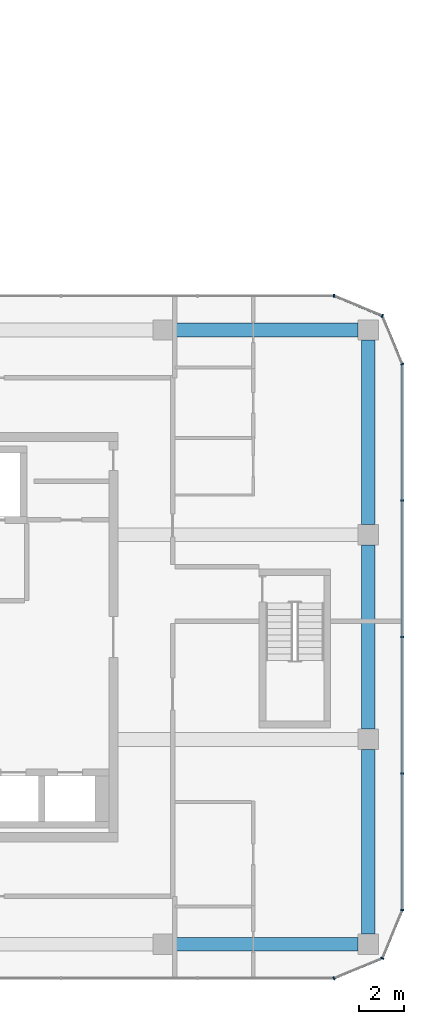
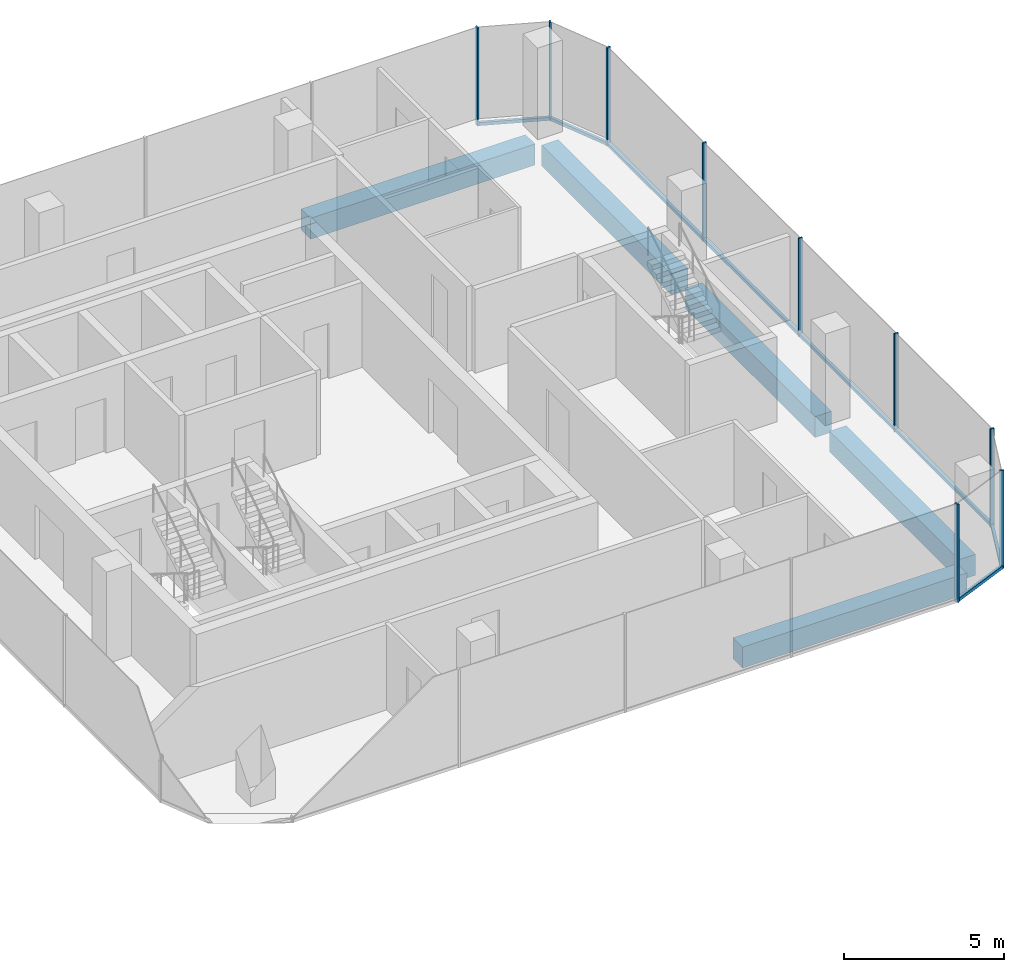
# One storey, part 10 of 22: 14 members, 5 beams, 6 elements without a shape of their own.
"""IFC4 building model written with IfcOpenShell, lengths in metres."""

from ifc_helpers import new_model, si_unit, direction, frame, origin, origin_2d, place, context, subcontext, project, spatial, rectangle, extrude, material, layer, layer_set, material_profile, profile_set, type_object, element, aggregate, save


model = new_model("IFC4")

# Units and contexts
model_context = context("Model", 3, precision=1e-05, world=origin(), true_north=direction((0.0, 1.0)))
body_context = subcontext(model_context, "Body", "Model", "MODEL_VIEW")
ifc_project = project(units=[si_unit("LENGTHUNIT", "METRE"), si_unit("AREAUNIT", "SQUARE_METRE"), si_unit("VOLUMEUNIT", "CUBIC_METRE"), si_unit("PLANEANGLEUNIT", "RADIAN"), si_unit("MASSUNIT", "GRAM", prefix="KILO")], contexts=[model_context])

# Site, building, storey
site_placement = place(None, origin())
site = spatial("IfcSite", under=ifc_project, at=site_placement, CompositionType="ELEMENT")
building_placement = place(site_placement, origin())
building = spatial("IfcBuilding", under=site, at=building_placement, Name="Plateau Cross Towers", CompositionType="ELEMENT")
storey_placement = place(building_placement, frame((0.0, 0.0, 113.300048828125)))
storey = spatial("IfcBuildingStorey", under=building, at=storey_placement, Name="L29", CompositionType="ELEMENT", Elevation=113.300048828125)

# Curtain wall, member
ifc_material_1 = material(Name="Dark low-iron glass", Category="glass")
ifc_layer = layer(ifc_material_1, 0.239990234375)
ifc_layer_set = layer_set([ifc_layer], Name="Dark low-iron glass")
curtain_wall_type = type_object("IfcCurtainWallType", Name="Curtain wall office unitised CW-F", PredefinedType="NOTDEFINED", material=ifc_layer_set)
curtain_wall_1_placement = place(storey_placement, origin())
curtain_wall_1 = element("IfcCurtainWall", 1, at=curtain_wall_1_placement, inside=storey, type_object=curtain_wall_type, Name="ENV/B/L29/B990_-60", PredefinedType="NOTDEFINED")
ifc_material_2 = material(Name="Black anodised aluminium", Category="aluminium")
ifc_material_profile_1 = material_profile(ifc_material_2, rectangle(XDim=0.06005859375, YDim=0.139892578125, at=origin_2d()), Name="MULLION 60x140")
ifc_profile_set_1 = profile_set([ifc_material_profile_1], Name="Black anodised aluminium")
member_type_1 = type_object("IfcMemberType", Name="Mullion 60x140 office unitised", PredefinedType="MULLION", material=ifc_profile_set_1)
member_1_placement = place(storey_placement, frame((99.0, -6.0, -0.25), z_axis=(0.0, 0.0, 1.0), x_axis=(0.923879457699, 0.382683612978, 0.0)))
member_1 = element("IfcMember", 2, at=member_1_placement, type_object=member_type_1, Name="CW-F mullion 1", PredefinedType="MULLION", context=body_context, shape_type="SweptSolid", body=[
    extrude(rectangle(XDim=0.06005859375, YDim=0.139892578125, at=origin_2d()), origin(), (0.0, 0.0, 1.0), 3.75),
])

curtain_wall_2_placement = place(storey_placement, origin())
curtain_wall_2 = element("IfcCurtainWall", 3, at=curtain_wall_2_placement, inside=storey, type_object=curtain_wall_type, Name="ENV/B/L29/B1011_-51", PredefinedType="NOTDEFINED")
member_2_placement = place(storey_placement, frame((101.121337890625, -5.121337890625, -0.25), z_axis=(0.0, 0.0, 1.0), x_axis=(0.382683612978, 0.923879457699, 0.0)))
member_2 = element("IfcMember", 4, at=member_2_placement, type_object=member_type_1, Name="CW-F mullion 1", PredefinedType="MULLION", context=body_context, shape_type="SweptSolid", body=[
    extrude(rectangle(XDim=0.06005859375, YDim=0.139892578125, at=origin_2d()), origin(), (0.0, 0.0, 1.0), 3.75),
])

# Curtain wall, members
curtain_wall_3_placement = place(storey_placement, origin())
curtain_wall_3 = element("IfcCurtainWall", 5, at=curtain_wall_3_placement, inside=storey, type_object=curtain_wall_type, Name="ENV/B/L29/B1020_-30", PredefinedType="NOTDEFINED")
member_3_placement = place(storey_placement, frame((102.0, -3.0, -0.25), z_axis=(0.0, 0.0, 1.0), x_axis=(0.0, 1.0, 0.0)))
member_3 = element("IfcMember", 6, at=member_3_placement, type_object=member_type_1, Name="CW-F mullion 1", PredefinedType="MULLION", context=body_context, shape_type="SweptSolid", body=[
    extrude(rectangle(XDim=0.06005859375, YDim=0.139892578125, at=origin_2d()), origin(), (0.0, 0.0, 1.0), 3.75),
])
member_4_placement = place(storey_placement, frame((102.0, 3.0, -0.25), z_axis=(0.0, 0.0, 1.0), x_axis=(0.0, 1.0, 0.0)))
member_4 = element("IfcMember", 7, at=member_4_placement, type_object=member_type_1, Name="CW-F mullion 2", PredefinedType="MULLION", context=body_context, shape_type="SweptSolid", body=[
    extrude(rectangle(XDim=0.06005859375, YDim=0.139892578125, at=origin_2d()), origin(), (0.0, 0.0, 1.0), 3.75),
])
member_5_placement = place(storey_placement, frame((102.0, 9.0, -0.25), z_axis=(0.0, 0.0, 1.0), x_axis=(0.0, 1.0, 0.0)))
member_5 = element("IfcMember", 8, at=member_5_placement, type_object=member_type_1, Name="CW-F mullion 3", PredefinedType="MULLION", context=body_context, shape_type="SweptSolid", body=[
    extrude(rectangle(XDim=0.06005859375, YDim=0.139892578125, at=origin_2d()), origin(), (0.0, 0.0, 1.0), 3.75),
])
member_6_placement = place(storey_placement, frame((102.0, 15.0, -0.25), z_axis=(0.0, 0.0, 1.0), x_axis=(0.0, 1.0, 0.0)))
member_6 = element("IfcMember", 9, at=member_6_placement, type_object=member_type_1, Name="CW-F mullion 4", PredefinedType="MULLION", context=body_context, shape_type="SweptSolid", body=[
    extrude(rectangle(XDim=0.06005859375, YDim=0.139892578125, at=origin_2d()), origin(), (0.0, 0.0, 1.0), 3.75),
])

# Curtain wall, member
curtain_wall_4_placement = place(storey_placement, origin())
curtain_wall_4 = element("IfcCurtainWall", 10, at=curtain_wall_4_placement, inside=storey, type_object=curtain_wall_type, Name="ENV/B/L29/B1020_210", PredefinedType="NOTDEFINED")
member_7_placement = place(storey_placement, frame((102.0, 21.0, -0.25), z_axis=(0.0, 0.0, 1.0), x_axis=(-0.382683612978, 0.923879457699, 0.0)))
member_7 = element("IfcMember", 11, at=member_7_placement, type_object=member_type_1, Name="CW-F mullion 1", PredefinedType="MULLION", context=body_context, shape_type="SweptSolid", body=[
    extrude(rectangle(XDim=0.06005859375, YDim=0.139892578125, at=origin_2d()), origin(), (0.0, 0.0, 1.0), 3.75),
])

curtain_wall_5_placement = place(storey_placement, origin())
curtain_wall_5 = element("IfcCurtainWall", 12, at=curtain_wall_5_placement, inside=storey, type_object=curtain_wall_type, Name="ENV/B/L29/B1011_231", PredefinedType="NOTDEFINED")
member_8_placement = place(storey_placement, frame((101.121337890625, 23.121337890625, -0.25), z_axis=(0.0, 0.0, 1.0), x_axis=(-0.923879457699, 0.382683612978, 0.0)))
member_8 = element("IfcMember", 13, at=member_8_placement, type_object=member_type_1, Name="CW-F mullion 1", PredefinedType="MULLION", context=body_context, shape_type="SweptSolid", body=[
    extrude(rectangle(XDim=0.06005859375, YDim=0.139892578125, at=origin_2d()), origin(), (0.0, 0.0, 1.0), 3.75),
])

curtain_wall_6_placement = place(storey_placement, origin())
curtain_wall_6 = element("IfcCurtainWall", 14, at=curtain_wall_6_placement, inside=storey, type_object=curtain_wall_type, Name="ENV/B/L29/B990_240", PredefinedType="NOTDEFINED")
member_9_placement = place(storey_placement, frame((99.0, 24.0, -0.25), z_axis=(0.0, 0.0, 1.0), x_axis=(-1.0, 0.0, 0.0)))
member_9 = element("IfcMember", 15, at=member_9_placement, type_object=member_type_1, Name="CW-F mullion 1", PredefinedType="MULLION", context=body_context, shape_type="SweptSolid", body=[
    extrude(rectangle(XDim=0.06005859375, YDim=0.139892578125, at=origin_2d()), origin(), (0.0, 0.0, 1.0), 3.75),
])
aggregate(curtain_wall_6, [member_9])

# Beams
ifc_material_3 = material(Name="Concrete C60/75", Category="concrete")
ifc_material_profile_2 = material_profile(ifc_material_3, rectangle(XDim=0.60009765625, YDim=0.800048828125, at=origin_2d()), Name="RC 600x800")
ifc_profile_set_2 = profile_set([ifc_material_profile_2], Name="Concrete C60/75")
beam_type = type_object("IfcBeamType", Name="Ring beam RC 600x800", PredefinedType="BEAM", material=ifc_profile_set_2)
for number, where, z_axis, x_axis, name in (
    (16, (91.949951171875, -4.5, -0.650146484375), (1.0, 0.0, 0.0), (0.0, 1.0, 0.0), "B-RB02@L29"),
    (17, (100.5, -4.050048828125, -0.650146484375), (0.0, 1.0, 0.0), (-1.0, 0.0, 0.0), "B-RB03@L29"),
    (18, (100.5, 4.949951171875, -0.650146484375), (0.0, 1.0, 0.0), (-1.0, 0.0, 0.0), "B-RB04@L29"),
    (19, (100.5, 13.949951171875, -0.650146484375), (0.0, 1.0, 0.0), (-1.0, 0.0, 0.0), "B-RB05@L29"),
    (20, (100.050048828125, 22.5, -0.650146484375), (-1.0, 0.0, 0.0), (0.0, -1.0, 0.0), "B-RB06@L29"),
):
    element("IfcBeam", number, at=place(storey_placement, frame(where, z_axis=z_axis, x_axis=x_axis)), inside=storey, type_object=beam_type, Name=name, PredefinedType="BEAM", context=body_context, shape_type="SweptSolid", body=[
        extrude(rectangle(XDim=0.60009765625, YDim=0.800048828125, at=origin_2d()), origin(), (0.0, 0.0, 1.0), 8.10009765625),
    ])

# Member
ifc_material_profile_3 = material_profile(ifc_material_2, rectangle(XDim=0.10009765625, YDim=0.1201171875, at=origin_2d()), Name="TRANSOM 100x120")
ifc_profile_set_3 = profile_set([ifc_material_profile_3], Name="Black anodised aluminium")
member_type_2 = type_object("IfcMemberType", Name="Transom 100x120 office unitised", PredefinedType="USERDEFINED", material=ifc_profile_set_3)
member_10_placement = place(storey_placement, frame((99.0, -6.0, -0.18994140625), z_axis=(0.923883353507, 0.382674207535, 0.0), x_axis=(-0.382674207535, 0.923883353507, 0.0)))
member_10 = element("IfcMember", 21, at=member_10_placement, type_object=member_type_2, Name="CW-F transom", ObjectType="TRANSOM", PredefinedType="USERDEFINED", context=body_context, shape_type="SweptSolid", body=[
    extrude(rectangle(XDim=0.10009765625, YDim=0.1201171875, at=origin_2d()), origin(), (0.0, 0.0, 1.0), 2.296142578125),
])

aggregate(curtain_wall_1, [member_1, member_10])

member_11_placement = place(storey_placement, frame((101.121337890625, -5.121337890625, -0.18994140625), z_axis=(0.382674207535, 0.923883353507, 0.0), x_axis=(-0.923883353507, 0.382674207535, 0.0)))
member_11 = element("IfcMember", 22, at=member_11_placement, type_object=member_type_2, Name="CW-F transom", ObjectType="TRANSOM", PredefinedType="USERDEFINED", context=body_context, shape_type="SweptSolid", body=[
    extrude(rectangle(XDim=0.10009765625, YDim=0.1201171875, at=origin_2d()), origin(), (0.0, 0.0, 1.0), 2.296142578125),
])

aggregate(curtain_wall_2, [member_2, member_11])

member_12_placement = place(storey_placement, frame((102.0, -3.0, -0.18994140625), z_axis=(0.0, 1.0, 0.0), x_axis=(-1.0, 0.0, 0.0)))
member_12 = element("IfcMember", 23, at=member_12_placement, type_object=member_type_2, Name="CW-F transom", ObjectType="TRANSOM", PredefinedType="USERDEFINED", context=body_context, shape_type="SweptSolid", body=[
    extrude(rectangle(XDim=0.10009765625, YDim=0.1201171875, at=origin_2d()), origin(), (0.0, 0.0, 1.0), 24.0),
])

aggregate(curtain_wall_3, [member_3, member_4, member_5, member_6, member_12])

member_13_placement = place(storey_placement, frame((102.0, 21.0, -0.18994140625), z_axis=(-0.382674207535, 0.923883353507, 0.0), x_axis=(-0.923883353507, -0.382674207535, 0.0)))
member_13 = element("IfcMember", 24, at=member_13_placement, type_object=member_type_2, Name="CW-F transom", ObjectType="TRANSOM", PredefinedType="USERDEFINED", context=body_context, shape_type="SweptSolid", body=[
    extrude(rectangle(XDim=0.10009765625, YDim=0.1201171875, at=origin_2d()), origin(), (0.0, 0.0, 1.0), 2.296142578125),
])

aggregate(curtain_wall_4, [member_7, member_13])

member_14_placement = place(storey_placement, frame((101.121337890625, 23.121337890625, -0.18994140625), z_axis=(-0.923883353507, 0.382674207535, 0.0), x_axis=(-0.382674207535, -0.923883353507, 0.0)))
member_14 = element("IfcMember", 25, at=member_14_placement, type_object=member_type_2, Name="CW-F transom", ObjectType="TRANSOM", PredefinedType="USERDEFINED", context=body_context, shape_type="SweptSolid", body=[
    extrude(rectangle(XDim=0.10009765625, YDim=0.1201171875, at=origin_2d()), origin(), (0.0, 0.0, 1.0), 2.296142578125),
])

aggregate(curtain_wall_5, [member_8, member_14])

save(model, "model.ifc")
